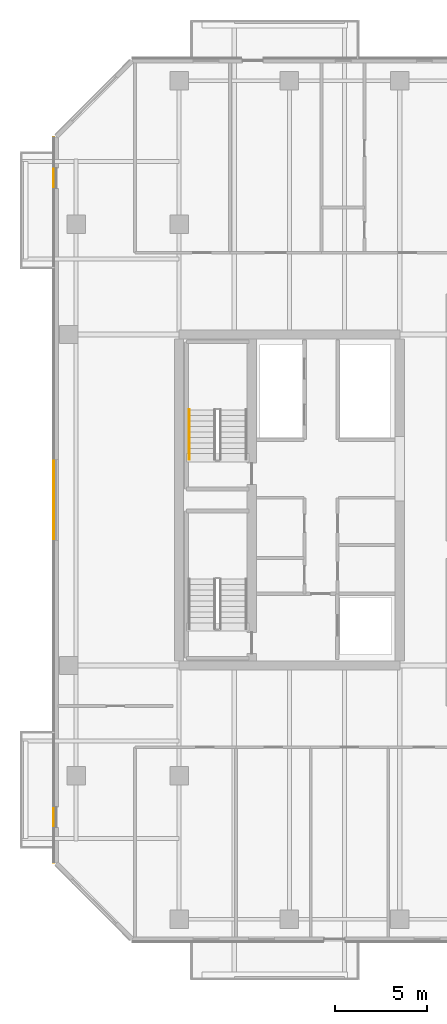
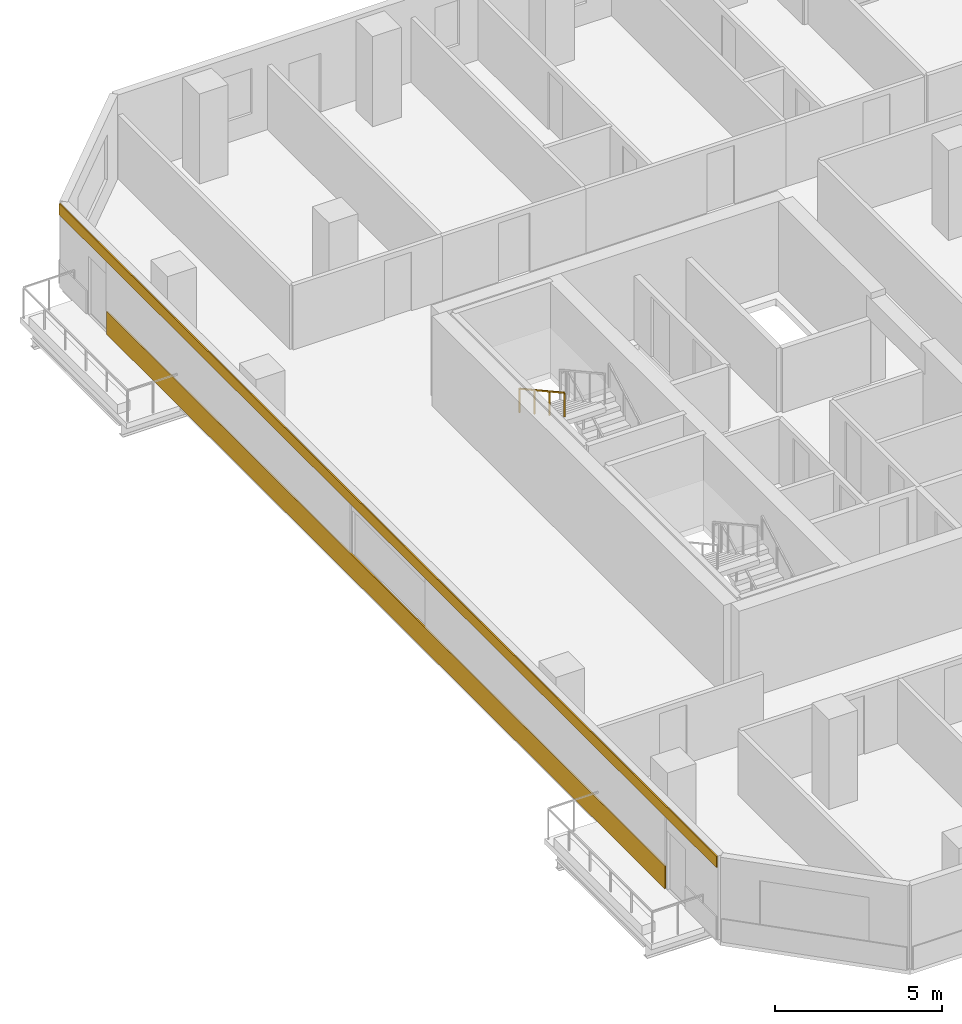
# One storey, part 19 of 23: 2 coverings, 1 railing.
"""IFC4 building model written with IfcOpenShell, lengths in metres."""

from ifc_helpers import new_model, si_unit, direction, frame, origin, origin_2d, place, context, subcontext, project, spatial, rectangle, extrude, material, layer, layer_set, type_object, element, save


model = new_model("IFC4")

# Units and contexts
model_context = context("Model", 3, precision=1e-05, world=origin(), true_north=direction((0.0, 1.0)))
body_context = subcontext(model_context, "Body", "Model", "MODEL_VIEW")
ifc_project = project(units=[si_unit("LENGTHUNIT", "METRE"), si_unit("AREAUNIT", "SQUARE_METRE"), si_unit("VOLUMEUNIT", "CUBIC_METRE"), si_unit("PLANEANGLEUNIT", "RADIAN"), si_unit("MASSUNIT", "GRAM", prefix="KILO")], contexts=[model_context])

# Site, building, storey
site_placement = place(None, origin())
site = spatial("IfcSite", under=ifc_project, at=site_placement, CompositionType="ELEMENT")
building_placement = place(site_placement, origin())
building = spatial("IfcBuilding", under=site, at=building_placement, Name="Tanjung Sevakor Pilgrim Tower", CompositionType="ELEMENT")
storey_placement = place(building_placement, frame((0.0, 0.0, 101.969970703125)))
storey = spatial("IfcBuildingStorey", under=building, at=storey_placement, Name="L28", CompositionType="ELEMENT", Elevation=101.969970703125)

# Coverings
ifc_material_1 = material(Name="Reconstructed Limestone Cladding", Category="masonry")
ifc_layer = layer(ifc_material_1, 0.044921875)
ifc_layer_set = layer_set([ifc_layer], Name="COV-CLAD-LIMESTONE")
covering_type = type_object("IfcCoveringType", Name="COV-CLAD-LIMESTONE", PredefinedType="CLADDING", material=ifc_layer_set)
covering_1_placement = place(storey_placement, frame((17.177490234375, 33.72509765625, 0.009765625), z_axis=(0.0, 0.0, 1.0), x_axis=(0.0, -1.0, 0.0)))
element("IfcCovering", 1, at=covering_1_placement, inside=storey, type_object=covering_type, Name="L28 Warm Limestone Sill Spandrel EW-L28-MAIN-15-2", PredefinedType="CLADDING", context=body_context, shape_type="SweptSolid", body=[
    extrude(rectangle(XDim=33.530029296875, YDim=0.044921875, at=origin_2d()), origin(), (0.0, 0.0, 1.0), 0.840087890625),
])
covering_2_placement = place(storey_placement, frame((17.177490234375, 33.60009765625, 2.66015625), z_axis=(0.0, 0.0, 1.0), x_axis=(0.0, -1.0, 0.0)))
element("IfcCovering", 2, at=covering_2_placement, inside=storey, type_object=covering_type, Name="L28 Warm Limestone Cornice Spandrel EW-L28-MAIN-15", PredefinedType="CLADDING", context=body_context, shape_type="SweptSolid", body=[
    extrude(rectangle(XDim=39.456298828125, YDim=0.044921875, at=origin_2d()), origin(), (0.0, 0.0, 1.0), 0.409912109375),
])

# Railing
ifc_material_2 = material(Name="Steel S355J2", Category="steel")
railing_type = type_object("IfcRailingType", Name="RL-STAIR-HAND", PredefinedType="HANDRAIL", material=ifc_material_2)
railing_placement = place(storey_placement, frame((24.550048828125, 38.5, 1.81494140625)))
element("IfcRailing", 3, at=railing_placement, inside=storey, type_object=railing_type, Name="L28 TS-W2 stair handrail 2", PredefinedType="HANDRAIL", context=body_context, shape_type="SweptSolid", body=[
    extrude(rectangle(XDim=0.0479, YDim=0.0479), frame((0.0, 0.0, 0.8759765625), z_axis=(0.0, -0.876197507361, 0.481952205197), x_axis=(1.0, 0.0, 0.0)), (0.0, 0.0, 1.0), 3.08154296875),
    extrude(rectangle(XDim=0.042, YDim=0.042), origin(), (0.0, 0.0, 1.0), 0.851806640625),
    extrude(rectangle(XDim=0.042, YDim=0.042), frame((0.0, -0.89990234375, 0.4951171875)), (0.0, 0.0, 1.0), 0.851806640625),
    extrude(rectangle(XDim=0.042, YDim=0.042), frame((0.0, -1.800048828125, 0.989990234375)), (0.0, 0.0, 1.0), 0.851806640625),
    extrude(rectangle(XDim=0.042, YDim=0.042), frame((0.0, -2.699951171875, 1.485107421875)), (0.0, 0.0, 1.0), 0.851806640625),
])

save(model, "model.ifc")
